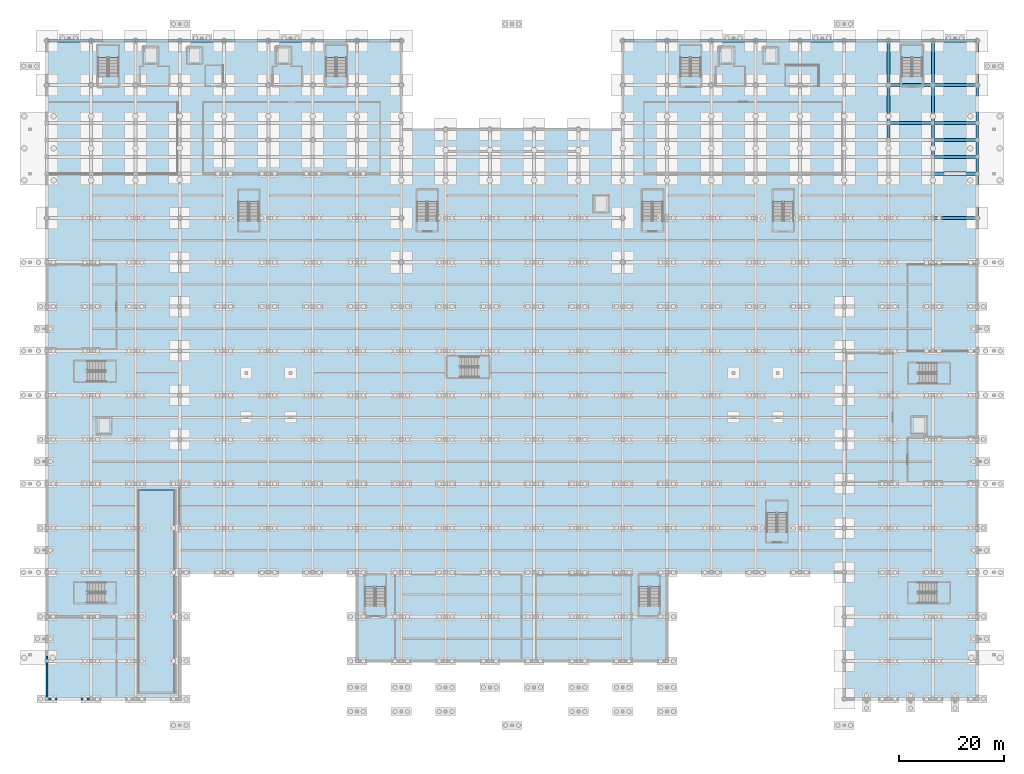
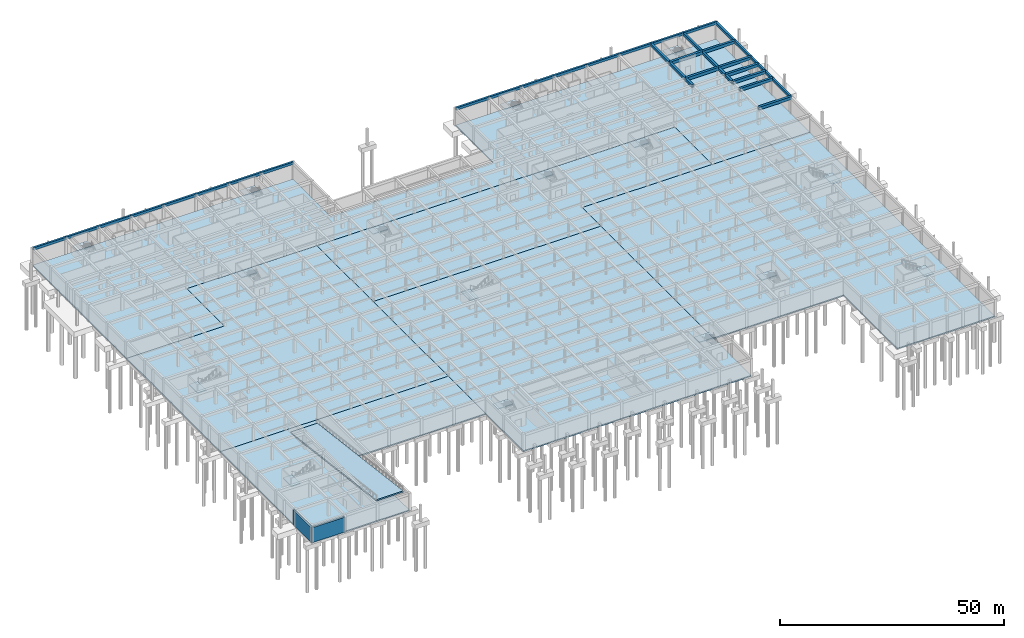
# One storey, part 23 of 51: 37 beams, 23 slabs, 2 walls, 16 elements without a shape of their own.
"""IFC4 building model written with IfcOpenShell, lengths in metres."""

from ifc_helpers import new_model, si_unit, direction, frame, frame_2d, origin, origin_2d, place, context, subcontext, project, spatial, polyline, rectangle, outline, extrude, material, layer, layer_set, material_profile, profile_set, type_object, element, aggregate, save


model = new_model("IFC4")

# Units and contexts
model_context = context("Model", 3, precision=1e-05, world=origin(), true_north=direction((0.0, 1.0)))
body_context = subcontext(model_context, "Body", "Model", "MODEL_VIEW")
ifc_project = project(units=[si_unit("LENGTHUNIT", "METRE"), si_unit("AREAUNIT", "SQUARE_METRE"), si_unit("VOLUMEUNIT", "CUBIC_METRE"), si_unit("PLANEANGLEUNIT", "RADIAN"), si_unit("MASSUNIT", "GRAM", prefix="KILO")], contexts=[model_context])

# Site, building, storey
site_placement = place(None, origin())
site = spatial("IfcSite", under=ifc_project, at=site_placement, CompositionType="ELEMENT")
building_placement = place(site_placement, origin())
building = spatial("IfcBuilding", under=site, at=building_placement, Name="Varncliffe General Hospital", CompositionType="ELEMENT")
storey_placement = place(building_placement, frame((0.0, 0.0, -4.800048828125)))
storey = spatial("IfcBuildingStorey", under=building, at=storey_placement, Name="B1", CompositionType="ELEMENT", Elevation=-4.800048828125)

# Beams
ifc_material_1 = material(Name="Concrete C35/45 (CSA A23.1 35 MPa)", Category="concrete")
ifc_material_profile_1 = material_profile(ifc_material_1, rectangle(XDim=0.550048828125, YDim=0.699951171875, at=origin_2d()), Name="RC 550x700")
ifc_profile_set_1 = profile_set([ifc_material_profile_1], Name="Concrete C35/45 (CSA A23.1 35 MPa)")
beam_type_1 = type_object("IfcBeamType", Name="Beam B35 (Int RC 550x700)", PredefinedType="BEAM", material=ifc_profile_set_1)
beam_1_placement = place(storey_placement, frame((159.60009765625, 106.0, 4.449951171875), z_axis=(0.0, 1.0, 0.0), x_axis=(-1.0, 0.0, 0.0)))
element("IfcBeam", 1, at=beam_1_placement, inside=storey, type_object=beam_type_1, Name="B1 Primary Beam B35-619", PredefinedType="BEAM", context=body_context, shape_type="SweptSolid", body=[
    extrude(rectangle(XDim=0.550048828125, YDim=0.699951171875, at=origin_2d()), origin(), (0.0, 0.0, 1.0), 3.199951171875),
])
beam_2_placement = place(storey_placement, frame((159.60009765625, 109.199951171875, 4.449951171875), z_axis=(0.0, 1.0, 0.0), x_axis=(-1.0, 0.0, 0.0)))
element("IfcBeam", 2, at=beam_2_placement, inside=storey, type_object=beam_type_1, Name="B1 Primary Beam B35-620", PredefinedType="BEAM", context=body_context, shape_type="SweptSolid", body=[
    extrude(rectangle(XDim=0.550048828125, YDim=0.699951171875, at=origin_2d()), origin(), (0.0, 0.0, 1.0), 7.199951171875),
])
beam_3_placement = place(storey_placement, frame((159.60009765625, 116.39990234375, 4.449951171875), z_axis=(0.0, 1.0, 0.0), x_axis=(-1.0, 0.0, 0.0)))
element("IfcBeam", 3, at=beam_3_placement, inside=storey, type_object=beam_type_1, Name="B1 Primary Beam B35-621", PredefinedType="BEAM", context=body_context, shape_type="SweptSolid", body=[
    extrude(rectangle(XDim=0.550048828125, YDim=0.699951171875, at=origin_2d()), origin(), (0.0, 0.0, 1.0), 8.400146484375),
])
for number, where, z_axis, x_axis, name in (
    (4, (168.0, 102.800048828125, 4.449951171875), (0.0, 1.0, 0.0), (-1.0, 0.0, 0.0), "B1 Primary Beam B35-633"),
    (5, (168.0, 106.0, 4.449951171875), (0.0, 1.0, 0.0), (-1.0, 0.0, 0.0), "B1 Primary Beam B35-634"),
):
    element("IfcBeam", number, at=place(storey_placement, frame(where, z_axis=z_axis, x_axis=x_axis)), inside=storey, type_object=beam_type_1, Name=name, PredefinedType="BEAM", context=body_context, shape_type="SweptSolid", body=[
        extrude(rectangle(XDim=0.550048828125, YDim=0.699951171875, at=origin_2d()), origin(), (0.0, 0.0, 1.0), 3.199951171875),
    ])
beam_4_placement = place(storey_placement, frame((168.0, 109.199951171875, 4.449951171875), z_axis=(0.0, 1.0, 0.0), x_axis=(-1.0, 0.0, 0.0)))
element("IfcBeam", 6, at=beam_4_placement, inside=storey, type_object=beam_type_1, Name="B1 Primary Beam B35-635", PredefinedType="BEAM", context=body_context, shape_type="SweptSolid", body=[
    extrude(rectangle(XDim=0.550048828125, YDim=0.699951171875, at=origin_2d()), origin(), (0.0, 0.0, 1.0), 7.199951171875),
])
beam_5_placement = place(storey_placement, frame((168.0, 116.39990234375, 4.449951171875), z_axis=(0.0, 1.0, 0.0), x_axis=(-1.0, 0.0, 0.0)))
element("IfcBeam", 7, at=beam_5_placement, inside=storey, type_object=beam_type_1, Name="B1 Primary Beam B35-636", PredefinedType="BEAM", context=body_context, shape_type="SweptSolid", body=[
    extrude(rectangle(XDim=0.550048828125, YDim=0.699951171875, at=origin_2d()), origin(), (0.0, 0.0, 1.0), 8.400146484375),
])
ifc_material_profile_2 = material_profile(ifc_material_1, rectangle(XDim=0.60009765625, YDim=0.800048828125, at=origin_2d()), Name="RC 600x800")
ifc_profile_set_2 = profile_set([ifc_material_profile_2], Name="Concrete C35/45 (CSA A23.1 35 MPa)")
beam_type_2 = type_object("IfcBeamType", Name="Beam B40 (Int RC 600x800)", PredefinedType="BEAM", material=ifc_profile_set_2)
for number, where, z_axis, x_axis, name in (
    (8, (168.0, 91.199951171875, 4.400146484375), (1.0, 0.0, 0.0), (0.0, 1.0, 0.0), "B1 Primary Beam B40-212"),
    (9, (168.0, 99.60009765625, 4.400146484375), (1.0, 0.0, 0.0), (0.0, 1.0, 0.0), "B1 Primary Beam B40-233"),
    (10, (168.0, 102.800048828125, 4.400146484375), (1.0, 0.0, 0.0), (0.0, 1.0, 0.0), "B1 Primary Beam B40-254"),
    (11, (168.0, 106.0, 4.400146484375), (1.0, 0.0, 0.0), (0.0, 1.0, 0.0), "B1 Primary Beam B40-270"),
    (12, (159.60009765625, 109.199951171875, 4.400146484375), (1.0, 0.0, 0.0), (0.0, 1.0, 0.0), "B1 Primary Beam B40-288"),
    (13, (168.0, 109.199951171875, 4.400146484375), (1.0, 0.0, 0.0), (0.0, 1.0, 0.0), "B1 Primary Beam B40-289"),
    (14, (159.60009765625, 116.39990234375, 4.400146484375), (1.0, 0.0, 0.0), (0.0, 1.0, 0.0), "B1 Primary Beam B40-304"),
    (15, (168.0, 116.39990234375, 4.400146484375), (1.0, 0.0, 0.0), (0.0, 1.0, 0.0), "B1 Primary Beam B40-305"),
):
    element("IfcBeam", number, at=place(storey_placement, frame(where, z_axis=z_axis, x_axis=x_axis)), inside=storey, type_object=beam_type_2, Name=name, PredefinedType="BEAM", context=body_context, shape_type="SweptSolid", body=[
        extrude(rectangle(XDim=0.60009765625, YDim=0.800048828125, at=origin_2d()), origin(), (0.0, 0.0, 1.0), 8.39990234375),
    ])
ifc_material_profile_3 = material_profile(ifc_material_1, rectangle(XDim=0.5, YDim=0.699951171875, at=origin_2d()), Name="RC 500x700")
ifc_profile_set_3 = profile_set([ifc_material_profile_3], Name="Concrete C35/45 (CSA A23.1 35 MPa)")
beam_type_3 = type_object("IfcBeamType", Name="Spandrel SP19 (Ext RC 500x700)", PredefinedType="SPANDREL", material=ifc_profile_set_3)
beam_6_placement = place(storey_placement, frame((0.0, 124.800048828125, 4.449951171875), z_axis=(1.0, 0.0, 0.0), x_axis=(0.0, 1.0, 0.0)))
element("IfcBeam", 16, at=beam_6_placement, inside=storey, type_object=beam_type_3, Name="B1 Spandrel Beam SP19-306", PredefinedType="SPANDREL", context=body_context, shape_type="SweptSolid", body=[
    extrude(rectangle(XDim=0.5, YDim=0.699951171875, at=origin_2d()), origin(), (0.0, 0.0, 1.0), 8.39990234375),
])
beam_7_placement = place(storey_placement, frame((8.39990234375, 124.800048828125, 4.449951171875), z_axis=(1.0, 0.0, 0.0), x_axis=(0.0, 1.0, 0.0)))
element("IfcBeam", 17, at=beam_7_placement, inside=storey, type_object=beam_type_3, Name="B1 Spandrel Beam SP19-307", PredefinedType="SPANDREL", context=body_context, shape_type="SweptSolid", body=[
    extrude(rectangle(XDim=0.5, YDim=0.699951171875, at=origin_2d()), origin(), (0.0, 0.0, 1.0), 8.400146484375),
])
beam_8_placement = place(storey_placement, frame((16.800048828125, 124.800048828125, 4.449951171875), z_axis=(1.0, 0.0, 0.0), x_axis=(0.0, 1.0, 0.0)))
element("IfcBeam", 18, at=beam_8_placement, inside=storey, type_object=beam_type_3, Name="B1 Spandrel Beam SP19-308", PredefinedType="SPANDREL", context=body_context, shape_type="SweptSolid", body=[
    extrude(rectangle(XDim=0.5, YDim=0.699951171875, at=origin_2d()), origin(), (0.0, 0.0, 1.0), 8.39990234375),
])
beam_9_placement = place(storey_placement, frame((25.199951171875, 124.800048828125, 4.449951171875), z_axis=(1.0, 0.0, 0.0), x_axis=(0.0, 1.0, 0.0)))
element("IfcBeam", 19, at=beam_9_placement, inside=storey, type_object=beam_type_3, Name="B1 Spandrel Beam SP19-309", PredefinedType="SPANDREL", context=body_context, shape_type="SweptSolid", body=[
    extrude(rectangle(XDim=0.5, YDim=0.699951171875, at=origin_2d()), origin(), (0.0, 0.0, 1.0), 8.400146484375),
])
for number, where, z_axis, x_axis, name in (
    (20, (33.60009765625, 124.800048828125, 4.449951171875), (1.0, 0.0, 0.0), (0.0, 1.0, 0.0), "B1 Spandrel Beam SP19-310"),
    (21, (42.0, 124.800048828125, 4.449951171875), (1.0, 0.0, 0.0), (0.0, 1.0, 0.0), "B1 Spandrel Beam SP19-311"),
):
    element("IfcBeam", number, at=place(storey_placement, frame(where, z_axis=z_axis, x_axis=x_axis)), inside=storey, type_object=beam_type_3, Name=name, PredefinedType="SPANDREL", context=body_context, shape_type="SweptSolid", body=[
        extrude(rectangle(XDim=0.5, YDim=0.699951171875, at=origin_2d()), origin(), (0.0, 0.0, 1.0), 8.39990234375),
    ])
beam_10_placement = place(storey_placement, frame((50.39990234375, 124.800048828125, 4.449951171875), z_axis=(1.0, 0.0, 0.0), x_axis=(0.0, 1.0, 0.0)))
element("IfcBeam", 22, at=beam_10_placement, inside=storey, type_object=beam_type_3, Name="B1 Spandrel Beam SP19-312", PredefinedType="SPANDREL", context=body_context, shape_type="SweptSolid", body=[
    extrude(rectangle(XDim=0.5, YDim=0.699951171875, at=origin_2d()), origin(), (0.0, 0.0, 1.0), 8.400146484375),
])
beam_11_placement = place(storey_placement, frame((58.800048828125, 124.800048828125, 4.449951171875), z_axis=(1.0, 0.0, 0.0), x_axis=(0.0, 1.0, 0.0)))
element("IfcBeam", 23, at=beam_11_placement, inside=storey, type_object=beam_type_3, Name="B1 Spandrel Beam SP19-313", PredefinedType="SPANDREL", context=body_context, shape_type="SweptSolid", body=[
    extrude(rectangle(XDim=0.5, YDim=0.699951171875, at=origin_2d()), origin(), (0.0, 0.0, 1.0), 8.39990234375),
])
beam_12_placement = place(storey_placement, frame((109.199951171875, 124.800048828125, 4.449951171875), z_axis=(1.0, 0.0, 0.0), x_axis=(0.0, 1.0, 0.0)))
element("IfcBeam", 24, at=beam_12_placement, inside=storey, type_object=beam_type_3, Name="B1 Spandrel Beam SP19-314", PredefinedType="SPANDREL", context=body_context, shape_type="SweptSolid", body=[
    extrude(rectangle(XDim=0.5, YDim=0.699951171875, at=origin_2d()), origin(), (0.0, 0.0, 1.0), 8.400146484375),
])
for number, where, z_axis, x_axis, name in (
    (25, (117.60009765625, 124.800048828125, 4.449951171875), (1.0, 0.0, 0.0), (0.0, 1.0, 0.0), "B1 Spandrel Beam SP19-315"),
    (26, (126.0, 124.800048828125, 4.449951171875), (1.0, 0.0, 0.0), (0.0, 1.0, 0.0), "B1 Spandrel Beam SP19-316"),
):
    element("IfcBeam", number, at=place(storey_placement, frame(where, z_axis=z_axis, x_axis=x_axis)), inside=storey, type_object=beam_type_3, Name=name, PredefinedType="SPANDREL", context=body_context, shape_type="SweptSolid", body=[
        extrude(rectangle(XDim=0.5, YDim=0.699951171875, at=origin_2d()), origin(), (0.0, 0.0, 1.0), 8.39990234375),
    ])
beam_13_placement = place(storey_placement, frame((134.39990234375, 124.800048828125, 4.449951171875), z_axis=(1.0, 0.0, 0.0), x_axis=(0.0, 1.0, 0.0)))
element("IfcBeam", 27, at=beam_13_placement, inside=storey, type_object=beam_type_3, Name="B1 Spandrel Beam SP19-317", PredefinedType="SPANDREL", context=body_context, shape_type="SweptSolid", body=[
    extrude(rectangle(XDim=0.5, YDim=0.699951171875, at=origin_2d()), origin(), (0.0, 0.0, 1.0), 8.400146484375),
])
beam_14_placement = place(storey_placement, frame((142.800048828125, 124.800048828125, 4.449951171875), z_axis=(1.0, 0.0, 0.0), x_axis=(0.0, 1.0, 0.0)))
element("IfcBeam", 28, at=beam_14_placement, inside=storey, type_object=beam_type_3, Name="B1 Spandrel Beam SP19-318", PredefinedType="SPANDREL", context=body_context, shape_type="SweptSolid", body=[
    extrude(rectangle(XDim=0.5, YDim=0.699951171875, at=origin_2d()), origin(), (0.0, 0.0, 1.0), 8.39990234375),
])
beam_15_placement = place(storey_placement, frame((151.199951171875, 124.800048828125, 4.449951171875), z_axis=(1.0, 0.0, 0.0), x_axis=(0.0, 1.0, 0.0)))
element("IfcBeam", 29, at=beam_15_placement, inside=storey, type_object=beam_type_3, Name="B1 Spandrel Beam SP19-319", PredefinedType="SPANDREL", context=body_context, shape_type="SweptSolid", body=[
    extrude(rectangle(XDim=0.5, YDim=0.699951171875, at=origin_2d()), origin(), (0.0, 0.0, 1.0), 8.400146484375),
])
for number, where, z_axis, x_axis, name in (
    (30, (159.60009765625, 124.800048828125, 4.449951171875), (1.0, 0.0, 0.0), (0.0, 1.0, 0.0), "B1 Spandrel Beam SP19-320"),
    (31, (168.0, 124.800048828125, 4.449951171875), (1.0, 0.0, 0.0), (0.0, 1.0, 0.0), "B1 Spandrel Beam SP19-321"),
):
    element("IfcBeam", number, at=place(storey_placement, frame(where, z_axis=z_axis, x_axis=x_axis)), inside=storey, type_object=beam_type_3, Name=name, PredefinedType="SPANDREL", context=body_context, shape_type="SweptSolid", body=[
        extrude(rectangle(XDim=0.5, YDim=0.699951171875, at=origin_2d()), origin(), (0.0, 0.0, 1.0), 8.39990234375),
    ])
beam_16_placement = place(storey_placement, frame((176.39990234375, 91.199951171875, 4.449951171875), z_axis=(0.0, 1.0, 0.0), x_axis=(-1.0, 0.0, 0.0)))
element("IfcBeam", 32, at=beam_16_placement, inside=storey, type_object=beam_type_3, Name="B1 Spandrel Beam SP19-648", PredefinedType="SPANDREL", context=body_context, shape_type="SweptSolid", body=[
    extrude(rectangle(XDim=0.5, YDim=0.699951171875, at=origin_2d()), origin(), (0.0, 0.0, 1.0), 8.400146484375),
])
for number, where, z_axis, x_axis, name in (
    (33, (176.39990234375, 99.60009765625, 4.449951171875), (0.0, 1.0, 0.0), (-1.0, 0.0, 0.0), "B1 Spandrel Beam SP19-649"),
    (34, (176.39990234375, 102.800048828125, 4.449951171875), (0.0, 1.0, 0.0), (-1.0, 0.0, 0.0), "B1 Spandrel Beam SP19-650"),
    (35, (176.39990234375, 106.0, 4.449951171875), (0.0, 1.0, 0.0), (-1.0, 0.0, 0.0), "B1 Spandrel Beam SP19-651"),
):
    element("IfcBeam", number, at=place(storey_placement, frame(where, z_axis=z_axis, x_axis=x_axis)), inside=storey, type_object=beam_type_3, Name=name, PredefinedType="SPANDREL", context=body_context, shape_type="SweptSolid", body=[
        extrude(rectangle(XDim=0.5, YDim=0.699951171875, at=origin_2d()), origin(), (0.0, 0.0, 1.0), 3.199951171875),
    ])
beam_17_placement = place(storey_placement, frame((176.39990234375, 109.199951171875, 4.449951171875), z_axis=(0.0, 1.0, 0.0), x_axis=(-1.0, 0.0, 0.0)))
element("IfcBeam", 36, at=beam_17_placement, inside=storey, type_object=beam_type_3, Name="B1 Spandrel Beam SP19-652", PredefinedType="SPANDREL", context=body_context, shape_type="SweptSolid", body=[
    extrude(rectangle(XDim=0.5, YDim=0.699951171875, at=origin_2d()), origin(), (0.0, 0.0, 1.0), 7.199951171875),
])
beam_18_placement = place(storey_placement, frame((176.39990234375, 116.39990234375, 4.449951171875), z_axis=(0.0, 1.0, 0.0), x_axis=(-1.0, 0.0, 0.0)))
element("IfcBeam", 37, at=beam_18_placement, inside=storey, type_object=beam_type_3, Name="B1 Spandrel Beam SP19-653", PredefinedType="SPANDREL", context=body_context, shape_type="SweptSolid", body=[
    extrude(rectangle(XDim=0.5, YDim=0.699951171875, at=origin_2d()), origin(), (0.0, 0.0, 1.0), 8.400146484375),
])

# Slabs
ifc_material_2 = material(Name="Concrete C40/50 (CSA A23.1 40 MPa)", Category="concrete")
ifc_layer_1 = layer(ifc_material_2, 0.35009765625)
ifc_layer_set_1 = layer_set([ifc_layer_1], Name="Concrete C40/50 (CSA A23.1 40 MPa)")
slab_type_1 = type_object("IfcSlabType", Name="Baseslab Slab SL46 (Int 350mm)", PredefinedType="BASESLAB", material=ifc_layer_set_1)
slab_1_placement = place(storey_placement, frame((0.0, 0.0, -0.349853515625)))
element("IfcSlab", 38, at=slab_1_placement, inside=storey, type_object=slab_type_1, Name="B1 V1 Structural Base Slab 1", PredefinedType="BASESLAB", context=body_context, shape_type="SweptSolid", body=[
    extrude(outline(polyline([(117.60009765625, 7.199951171875), (117.60009765625, 74.39990234375), (58.800048828125, 74.39990234375), (58.800048828125, 7.199951171875), (117.60009765625, 7.199951171875)])), origin(), (0.0, 0.0, 1.0), 0.349853515625),
])
slab_2_placement = place(storey_placement, frame((0.0, 0.0, -0.349853515625)))
element("IfcSlab", 39, at=slab_2_placement, inside=storey, type_object=slab_type_1, Name="B1 V2 Structural Base Slab 1", PredefinedType="BASESLAB", context=body_context, shape_type="SweptSolid", body=[
    extrude(outline(polyline([(25.199951171875, 0.0), (0.0, 0.0), (0.0, 40.800048828125), (25.199951171875, 40.800048828125), (58.800048828125, 40.800048828125), (58.800048828125, 24.0), (25.199951171875, 24.0), (25.199951171875, 0.0)]), holes=[polyline([(17.300048828125, 36.739990234375), (24.300048828125, 36.739990234375), (24.300048828125, 39.60009765625), (17.300048828125, 39.60009765625), (17.300048828125, 36.739990234375)])]), origin(), (0.0, 0.0, 1.0), 0.349853515625),
])
slab_3_placement = place(storey_placement, frame((0.0, 0.0, -0.349853515625)))
element("IfcSlab", 40, at=slab_3_placement, inside=storey, type_object=slab_type_1, Name="B1 V5 Structural Base Slab 1", PredefinedType="BASESLAB", context=body_context, shape_type="SweptSolid", body=[
    extrude(outline(polyline([(176.39990234375, 82.800048828125), (176.39990234375, 0.0), (151.199951171875, 0.0), (151.199951171875, 24.0), (117.60009765625, 24.0), (117.60009765625, 82.800048828125), (151.199951171875, 82.800048828125), (176.39990234375, 82.800048828125)])), origin(), (0.0, 0.0, 1.0), 0.349853515625),
])
slab_4_placement = place(storey_placement, frame((0.0, 0.0, -0.349853515625)))
element("IfcSlab", 41, at=slab_4_placement, inside=storey, type_object=slab_type_1, Name="B1 V6 Structural Base Slab 1", PredefinedType="BASESLAB", context=body_context, shape_type="SweptSolid", body=[
    extrude(outline(polyline([(0.0, 99.60009765625), (0.0, 124.800048828125), (67.199951171875, 124.800048828125), (67.199951171875, 108.0), (109.199951171875, 108.0), (109.199951171875, 124.800048828125), (176.39990234375, 124.800048828125), (176.39990234375, 99.60009765625), (176.39990234375, 82.800048828125), (151.199951171875, 82.800048828125), (151.199951171875, 99.60009765625), (109.199951171875, 99.60009765625), (67.199951171875, 99.60009765625), (25.199951171875, 99.60009765625), (25.199951171875, 82.800048828125), (0.0, 82.800048828125), (0.0, 99.60009765625)])), origin(), (0.0, 0.0, 1.0), 0.349853515625),
])
ifc_layer_2 = layer(ifc_material_2, 0.389892578125)
ifc_layer_set_2 = layer_set([ifc_layer_2], Name="Concrete C40/50 (CSA A23.1 40 MPa)")
slab_type_2 = type_object("IfcSlabType", Name="Baseslab Slab SL51 (Int 390mm)", PredefinedType="BASESLAB", material=ifc_layer_set_2)
slab_5_placement = place(storey_placement, frame((0.0, 0.0, -0.389892578125)))
element("IfcSlab", 42, at=slab_5_placement, inside=storey, type_object=slab_type_2, Name="B1 V3 Structural Base Slab 1", PredefinedType="BASESLAB", context=body_context, shape_type="SweptSolid", body=[
    extrude(outline(polyline([(0.0, 40.800048828125), (0.0, 82.800048828125), (25.199951171875, 82.800048828125), (25.199951171875, 99.60009765625), (58.800048828125, 99.60009765625), (58.800048828125, 40.800048828125), (25.199951171875, 40.800048828125), (0.0, 40.800048828125)])), origin(), (0.0, 0.0, 1.0), 0.389892578125),
])
ifc_layer_3 = layer(ifc_material_2, 0.3701171875)
ifc_layer_set_3 = layer_set([ifc_layer_3], Name="Concrete C40/50 (CSA A23.1 40 MPa)")
slab_type_3 = type_object("IfcSlabType", Name="Baseslab Slab SL53 (Int 370mm)", PredefinedType="BASESLAB", material=ifc_layer_set_3)
slab_6_placement = place(storey_placement, frame((0.0, 0.0, -0.369873046875)))
element("IfcSlab", 43, at=slab_6_placement, inside=storey, type_object=slab_type_3, Name="B1 V4 Structural Base Slab 1", PredefinedType="BASESLAB", context=body_context, shape_type="SweptSolid", body=[
    extrude(outline(polyline([(117.60009765625, 74.39990234375), (58.800048828125, 74.39990234375), (58.800048828125, 99.60009765625), (117.60009765625, 99.60009765625), (151.199951171875, 99.60009765625), (151.199951171875, 82.800048828125), (117.60009765625, 82.800048828125), (117.60009765625, 74.39990234375)])), origin(), (0.0, 0.0, 1.0), 0.369873046875),
])
ifc_layer_4 = layer(ifc_material_1, 0.35009765625)
ifc_layer_set_4 = layer_set([ifc_layer_4], Name="Concrete C35/45 (CSA A23.1 35 MPa)")
slab_type_4 = type_object("IfcSlabType", Name="Reinforced Concrete Car-Park Vehicle Ramp Slab VR40 (350mm)", PredefinedType="FLOOR", material=ifc_layer_set_4)
slab_7_placement = place(storey_placement, frame((17.300048828125, 39.60009765625, 0.0), z_axis=(0.0, 0.124035511046, 0.992277779656), x_axis=(1.0, 0.0, 0.0)))
element("IfcSlab", 44, at=slab_7_placement, inside=storey, type_object=slab_type_4, Name="B1 Car Park Structural Vehicle Ramp Slab VR40", PredefinedType="FLOOR", context=body_context, shape_type="SweptSolid", body=[
    extrude(outline(polyline([(0.0, 0.0), (7.0, 0.0), (7.0, -38.69898860143301), (0.0, -38.69898860143301), (0.0, 0.0)])), origin(), (0.0, 0.0, -1.0), 0.35009765625),
])

# Stair, slab
stair_type = type_object("IfcStairType", Name="Hospital Stair Assembly ST-T01 (1850w-4800h)", PredefinedType="TWO_STRAIGHT_RUN_STAIR", material=ifc_material_1)
stair_1_placement = place(storey_placement, origin())
stair_1 = element("IfcStair", 45, at=stair_1_placement, inside=storey, type_object=stair_type, Name="B1 North-West Ward Exit Stair 1", PredefinedType="TWO_STRAIGHT_RUN_STAIR")
ifc_layer_5 = layer(ifc_material_1, 0.199951171875)
ifc_layer_set_5 = layer_set([ifc_layer_5], Name="Concrete C35/45 (CSA A23.1 35 MPa)")
slab_type_5 = type_object("IfcSlabType", Name="Reinforced Concrete Stair Landing LND50 (200mm)", PredefinedType="LANDING", material=ifc_layer_set_5)
slab_8_placement = place(storey_placement, frame((0.0, 0.0, 2.199951171875)))
slab_8 = element("IfcSlab", 46, at=slab_8_placement, type_object=slab_type_5, Name="ST01 landing 1", PredefinedType="LANDING", context=body_context, shape_type="SweptSolid", body=[
    extrude(outline(polyline([(13.60009765625, 121.639892578125), (13.60009765625, 123.949951171875), (9.699951171875, 123.949951171875), (9.699951171875, 121.639892578125), (13.60009765625, 121.639892578125)])), origin(), (0.0, 0.0, 1.0), 0.2001953125),
])
aggregate(stair_1, [slab_8])

stair_2_placement = place(storey_placement, origin())
stair_2 = element("IfcStair", 47, at=stair_2_placement, inside=storey, type_object=stair_type, Name="B1 North-West Ward Exit Stair 2", PredefinedType="TWO_STRAIGHT_RUN_STAIR")
slab_9_placement = place(storey_placement, frame((0.0, 0.0, 2.199951171875)))
slab_9 = element("IfcSlab", 48, at=slab_9_placement, type_object=slab_type_5, Name="ST02 landing 1", PredefinedType="LANDING", context=body_context, shape_type="SweptSolid", body=[
    extrude(outline(polyline([(56.800048828125, 121.639892578125), (56.800048828125, 123.949951171875), (52.89990234375, 123.949951171875), (52.89990234375, 121.639892578125), (56.800048828125, 121.639892578125)])), origin(), (0.0, 0.0, 1.0), 0.2001953125),
])
aggregate(stair_2, [slab_9])

stair_3_placement = place(storey_placement, origin())
stair_3 = element("IfcStair", 49, at=stair_3_placement, inside=storey, type_object=stair_type, Name="B1 North-East Ward Exit Stair 3", PredefinedType="TWO_STRAIGHT_RUN_STAIR")
slab_10_placement = place(storey_placement, frame((0.0, 0.0, 2.199951171875)))
slab_10 = element("IfcSlab", 50, at=slab_10_placement, type_object=slab_type_5, Name="ST03 landing 1", PredefinedType="LANDING", context=body_context, shape_type="SweptSolid", body=[
    extrude(outline(polyline([(124.0, 121.639892578125), (124.0, 123.949951171875), (120.10009765625, 123.949951171875), (120.10009765625, 121.639892578125), (124.0, 121.639892578125)])), origin(), (0.0, 0.0, 1.0), 0.2001953125),
])
aggregate(stair_3, [slab_10])

stair_4_placement = place(storey_placement, origin())
stair_4 = element("IfcStair", 51, at=stair_4_placement, inside=storey, type_object=stair_type, Name="B1 North-East Ward Exit Stair 4", PredefinedType="TWO_STRAIGHT_RUN_STAIR")
slab_11_placement = place(storey_placement, frame((0.0, 0.0, 2.199951171875)))
slab_11 = element("IfcSlab", 52, at=slab_11_placement, type_object=slab_type_5, Name="ST04 landing 1", PredefinedType="LANDING", context=body_context, shape_type="SweptSolid", body=[
    extrude(outline(polyline([(166.0, 121.639892578125), (166.0, 123.949951171875), (162.10009765625, 123.949951171875), (162.10009765625, 121.639892578125), (166.0, 121.639892578125)])), origin(), (0.0, 0.0, 1.0), 0.2001953125),
])
aggregate(stair_4, [slab_11])

stair_5_placement = place(storey_placement, origin())
stair_5 = element("IfcStair", 53, at=stair_5_placement, inside=storey, type_object=stair_type, Name="B1 Diagnostic West Exit Stair 5", PredefinedType="TWO_STRAIGHT_RUN_STAIR")
slab_12_placement = place(storey_placement, frame((0.0, 0.0, 2.199951171875)))
slab_12 = element("IfcSlab", 54, at=slab_12_placement, type_object=slab_type_5, Name="ST05 landing 1", PredefinedType="LANDING", context=body_context, shape_type="SweptSolid", body=[
    extrude(outline(polyline([(7.56005859375, 64.10009765625), (5.25, 64.10009765625), (5.25, 60.199951171875), (7.56005859375, 60.199951171875), (7.56005859375, 64.10009765625)])), origin(), (0.0, 0.0, 1.0), 0.2001953125),
])
aggregate(stair_5, [slab_12])

stair_6_placement = place(storey_placement, origin())
stair_6 = element("IfcStair", 55, at=stair_6_placement, inside=storey, type_object=stair_type, Name="B1 Surgical and Helipad Exit Stair 6", PredefinedType="TWO_STRAIGHT_RUN_STAIR")
slab_13_placement = place(storey_placement, frame((0.0, 0.0, 2.199951171875)))
slab_13 = element("IfcSlab", 56, at=slab_13_placement, type_object=slab_type_5, Name="ST06 landing 1", PredefinedType="LANDING", context=body_context, shape_type="SweptSolid", body=[
    extrude(outline(polyline([(116.800048828125, 94.239990234375), (116.800048828125, 96.550048828125), (112.89990234375, 96.550048828125), (112.89990234375, 94.239990234375), (116.800048828125, 94.239990234375)])), origin(), (0.0, 0.0, 1.0), 0.2001953125),
])
aggregate(stair_6, [slab_13])

stair_7_placement = place(storey_placement, origin())
stair_7 = element("IfcStair", 57, at=stair_7_placement, inside=storey, type_object=stair_type, Name="B1 Outpatient East Exit Stair 7", PredefinedType="TWO_STRAIGHT_RUN_STAIR")
slab_14_placement = place(storey_placement, frame((0.0, 0.0, 2.199951171875)))
slab_14 = element("IfcSlab", 58, at=slab_14_placement, type_object=slab_type_5, Name="ST07 landing 1", PredefinedType="LANDING", context=body_context, shape_type="SweptSolid", body=[
    extrude(outline(polyline([(168.840087890625, 59.800048828125), (171.14990234375, 59.800048828125), (171.14990234375, 63.699951171875), (168.840087890625, 63.699951171875), (168.840087890625, 59.800048828125)])), origin(), (0.0, 0.0, 1.0), 0.2001953125),
])
aggregate(stair_7, [slab_14])

stair_8_placement = place(storey_placement, origin())
stair_8 = element("IfcStair", 59, at=stair_8_placement, inside=storey, type_object=stair_type, Name="B1 Emergency South-West Exit Stair 8", PredefinedType="TWO_STRAIGHT_RUN_STAIR")
slab_15_placement = place(storey_placement, frame((0.0, 0.0, 2.199951171875)))
slab_15 = element("IfcSlab", 60, at=slab_15_placement, type_object=slab_type_5, Name="ST08 landing 1", PredefinedType="LANDING", context=body_context, shape_type="SweptSolid", body=[
    extrude(outline(polyline([(7.56005859375, 22.10009765625), (5.25, 22.10009765625), (5.25, 18.199951171875), (7.56005859375, 18.199951171875), (7.56005859375, 22.10009765625)])), origin(), (0.0, 0.0, 1.0), 0.2001953125),
])
aggregate(stair_8, [slab_15])

stair_9_placement = place(storey_placement, origin())
stair_9 = element("IfcStair", 61, at=stair_9_placement, inside=storey, type_object=stair_type, Name="B1 Main Pavilion South-West Exit Stair 9", PredefinedType="TWO_STRAIGHT_RUN_STAIR")
slab_16_placement = place(storey_placement, frame((0.0, 0.0, 2.199951171875)))
slab_16 = element("IfcSlab", 62, at=slab_16_placement, type_object=slab_type_5, Name="ST09 landing 1", PredefinedType="LANDING", context=body_context, shape_type="SweptSolid", body=[
    extrude(outline(polyline([(64.199951171875, 21.239990234375), (64.199951171875, 23.550048828125), (60.300048828125, 23.550048828125), (60.300048828125, 21.239990234375), (64.199951171875, 21.239990234375)])), origin(), (0.0, 0.0, 1.0), 0.2001953125),
])
aggregate(stair_9, [slab_16])

stair_10_placement = place(storey_placement, origin())
stair_10 = element("IfcStair", 63, at=stair_10_placement, inside=storey, type_object=stair_type, Name="B1 Main Pavilion South-East Exit Stair 10", PredefinedType="TWO_STRAIGHT_RUN_STAIR")
slab_17_placement = place(storey_placement, frame((0.0, 0.0, 2.199951171875)))
slab_17 = element("IfcSlab", 64, at=slab_17_placement, type_object=slab_type_5, Name="ST10 landing 1", PredefinedType="LANDING", context=body_context, shape_type="SweptSolid", body=[
    extrude(outline(polyline([(116.199951171875, 21.239990234375), (116.199951171875, 23.550048828125), (112.300048828125, 23.550048828125), (112.300048828125, 21.239990234375), (116.199951171875, 21.239990234375)])), origin(), (0.0, 0.0, 1.0), 0.2001953125),
])
aggregate(stair_10, [slab_17])

stair_11_placement = place(storey_placement, origin())
stair_11 = element("IfcStair", 65, at=stair_11_placement, inside=storey, type_object=stair_type, Name="B1 Outpatient South-East Exit Stair 11", PredefinedType="TWO_STRAIGHT_RUN_STAIR")
slab_18_placement = place(storey_placement, frame((0.0, 0.0, 2.199951171875)))
slab_18 = element("IfcSlab", 66, at=slab_18_placement, type_object=slab_type_5, Name="ST11 landing 1", PredefinedType="LANDING", context=body_context, shape_type="SweptSolid", body=[
    extrude(outline(polyline([(168.840087890625, 18.199951171875), (171.14990234375, 18.199951171875), (171.14990234375, 22.10009765625), (168.840087890625, 22.10009765625), (168.840087890625, 18.199951171875)])), origin(), (0.0, 0.0, 1.0), 0.2001953125),
])
aggregate(stair_11, [slab_18])

stair_12_placement = place(storey_placement, origin())
stair_12 = element("IfcStair", 67, at=stair_12_placement, inside=storey, type_object=stair_type, Name="B1 Surgical West Exit Stair 12", PredefinedType="TWO_STRAIGHT_RUN_STAIR")
slab_19_placement = place(storey_placement, frame((0.0, 0.0, 2.199951171875)))
slab_19 = element("IfcSlab", 68, at=slab_19_placement, type_object=slab_type_5, Name="ST12 landing 1", PredefinedType="LANDING", context=body_context, shape_type="SweptSolid", body=[
    extrude(outline(polyline([(74.10009765625, 94.239990234375), (74.10009765625, 96.550048828125), (70.199951171875, 96.550048828125), (70.199951171875, 94.239990234375), (74.10009765625, 94.239990234375)])), origin(), (0.0, 0.0, 1.0), 0.2001953125),
])
aggregate(stair_12, [slab_19])

stair_13_placement = place(storey_placement, origin())
stair_13 = element("IfcStair", 69, at=stair_13_placement, inside=storey, type_object=stair_type, Name="B1 West-Central Clinical Exit Stair 13", PredefinedType="TWO_STRAIGHT_RUN_STAIR")
slab_20_placement = place(storey_placement, frame((0.0, 0.0, 2.199951171875)))
slab_20 = element("IfcSlab", 70, at=slab_20_placement, type_object=slab_type_5, Name="ST13 landing 1", PredefinedType="LANDING", context=body_context, shape_type="SweptSolid", body=[
    extrude(outline(polyline([(40.199951171875, 94.239990234375), (40.199951171875, 96.550048828125), (36.300048828125, 96.550048828125), (36.300048828125, 94.239990234375), (40.199951171875, 94.239990234375)])), origin(), (0.0, 0.0, 1.0), 0.2001953125),
])
aggregate(stair_13, [slab_20])

stair_14_placement = place(storey_placement, origin())
stair_14 = element("IfcStair", 71, at=stair_14_placement, inside=storey, type_object=stair_type, Name="B1 East-Central Clinical Exit Stair 14", PredefinedType="TWO_STRAIGHT_RUN_STAIR")
slab_21_placement = place(storey_placement, frame((0.0, 0.0, 2.199951171875)))
slab_21 = element("IfcSlab", 72, at=slab_21_placement, type_object=slab_type_5, Name="ST14 landing 1", PredefinedType="LANDING", context=body_context, shape_type="SweptSolid", body=[
    extrude(outline(polyline([(141.60009765625, 94.239990234375), (141.60009765625, 96.550048828125), (137.699951171875, 96.550048828125), (137.699951171875, 94.239990234375), (141.60009765625, 94.239990234375)])), origin(), (0.0, 0.0, 1.0), 0.2001953125),
])
aggregate(stair_14, [slab_21])

stair_15_placement = place(storey_placement, origin())
stair_15 = element("IfcStair", 73, at=stair_15_placement, inside=storey, type_object=stair_type, Name="B1 Outpatient Cloister Exit Stair 15", PredefinedType="TWO_STRAIGHT_RUN_STAIR")
slab_22_placement = place(storey_placement, frame((0.0, 0.0, 2.199951171875)))
slab_22 = element("IfcSlab", 74, at=slab_22_placement, type_object=slab_type_5, Name="ST15 landing 1", PredefinedType="LANDING", context=body_context, shape_type="SweptSolid", body=[
    extrude(outline(polyline([(140.39990234375, 35.239990234375), (140.39990234375, 37.550048828125), (136.5, 37.550048828125), (136.5, 35.239990234375), (140.39990234375, 35.239990234375)])), origin(), (0.0, 0.0, 1.0), 0.2001953125),
])
aggregate(stair_15, [slab_22])

stair_16_placement = place(storey_placement, origin())
stair_16 = element("IfcStair", 75, at=stair_16_placement, inside=storey, type_object=stair_type, Name="B1 Winter-Garden Concourse Exit Stair 16", PredefinedType="TWO_STRAIGHT_RUN_STAIR")
slab_23_placement = place(storey_placement, frame((0.0, 0.0, 2.199951171875)))
slab_23 = element("IfcSlab", 76, at=slab_23_placement, type_object=slab_type_5, Name="ST16 landing 1", PredefinedType="LANDING", context=body_context, shape_type="SweptSolid", body=[
    extrude(outline(polyline([(78.31005859375, 64.89990234375), (76.0, 64.89990234375), (76.0, 61.0), (78.31005859375, 61.0), (78.31005859375, 64.89990234375)])), origin(), (0.0, 0.0, 1.0), 0.2001953125),
])
aggregate(stair_16, [slab_23])

# Walls
ifc_layer_6 = layer(ifc_material_2, 0.419921875)
ifc_layer_set_6 = layer_set([ifc_layer_6], Name="Concrete C40/50 (CSA A23.1 40 MPa)")
wall_type = type_object("IfcWallType", Name="Exterior Insulated Stucco Wall EW28 (420mm)", PredefinedType="SOLIDWALL", material=ifc_layer_set_6)
wall_1_placement = place(storey_placement, frame((8.39990234375, 0.0, 0.0), z_axis=(0.0, 0.0, 1.0), x_axis=(-1.0, 0.0, 0.0)))
element("IfcWall", 77, at=wall_1_placement, inside=storey, type_object=wall_type, Name="B1 Perimeter Retaining Wall 81", PredefinedType="SOLIDWALL", context=body_context, shape_type="SweptSolid", body=[
    extrude(rectangle(XDim=8.39990234375, YDim=0.419921875, at=frame_2d((4.199951171875, 0.0))), origin(), (0.0, 0.0, 1.0), 4.050048828125),
])
wall_2_placement = place(storey_placement, frame((0.0, 0.0, 0.0), z_axis=(0.0, 0.0, 1.0), x_axis=(0.0, 1.0, 0.0)))
element("IfcWall", 78, at=wall_2_placement, inside=storey, type_object=wall_type, Name="B1 Perimeter Retaining Wall 82", PredefinedType="SOLIDWALL", context=body_context, shape_type="SweptSolid", body=[
    extrude(rectangle(XDim=8.159912109375, YDim=0.419921875, at=frame_2d((4.080078125, 0.0))), origin(), (0.0, 0.0, 1.0), 4.050048828125),
])

save(model, "model.ifc")
